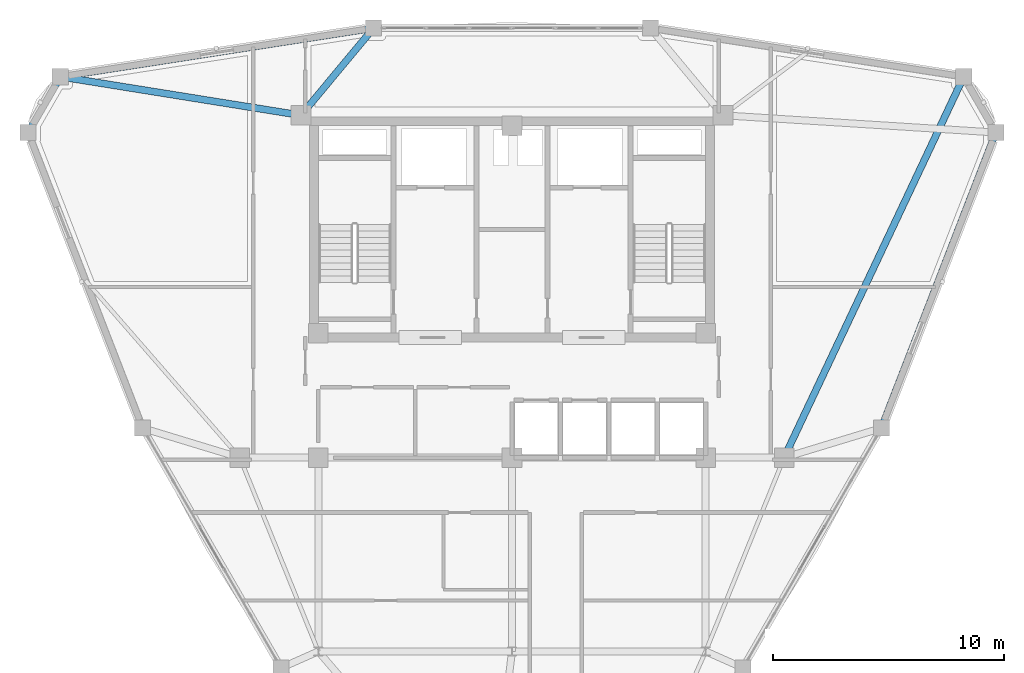
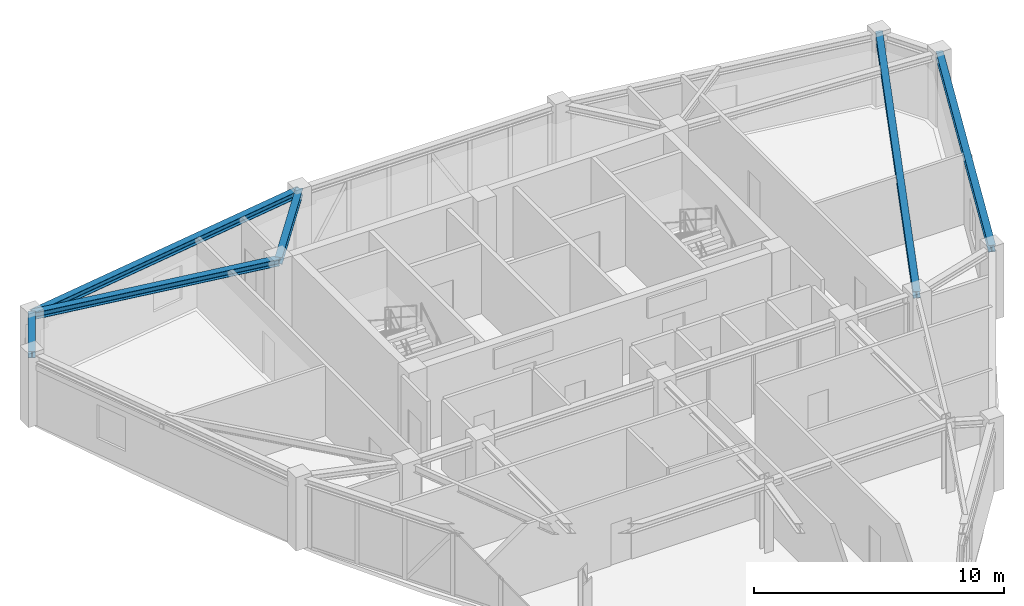
# One storey, part 8 of 15: 6 beams.
"""IFC4 building model written with IfcOpenShell, lengths in metres."""

import ifcopenshell
import ifcopenshell.guid

model = None  # the IFC model being written
_history = None  # IfcOwnerHistory: only IFC2X3 demands one
_inside = {}  # id of a spatial element -> (the spatial element, [elements in it])
_under = {}  # id of a project, library or spatial element -> (it, [spatial elements below it])
_declared = {}  # id of a project -> (the project, [libraries it declares])
_typed = {}  # id of a type object -> (the type object, [elements of that type])
_made_of = {}  # id of a material, layer set ... -> (it, [elements and type objects made of it])


def new_model(schema):
    """Start an empty IFC model of exactly this schema.

    Asked for "IFC4X3", IfcOpenShell would pick the latest addendum, in which some entities
    have other attributes; the version numbers below select the first issue.
    IFC2X3 requires an IfcOwnerHistory on every rooted entity: one is made here for all.
    """
    global model, _history
    if schema == "IFC4X3":
        model = ifcopenshell.file(schema_version=(4, 3, 0, 0))
    else:
        model = ifcopenshell.file(schema=schema)
    _inside.clear()
    _under.clear()
    _declared.clear()
    _typed.clear()
    _made_of.clear()
    _history = None
    if model.schema == "IFC2X3":
        org = make("IfcOrganization", Name="unknown")
        user = make(
            "IfcPersonAndOrganization",
            ThePerson=make("IfcPerson", FamilyName="unknown"),
            TheOrganization=org,
        )
        app = make(
            "IfcApplication",
            ApplicationDeveloper=org,
            Version="unknown",
            ApplicationFullName="unknown",
            ApplicationIdentifier="unknown",
        )
        _history = make(
            "IfcOwnerHistory",
            OwningUser=user,
            OwningApplication=app,
            ChangeAction="ADDED",
            CreationDate=0,
        )
    return model


def make(cls, **values):
    """One entity of the class cls with the attributes given. An attribute that is None is left unset."""
    return model.create_entity(
        cls, **{name: value for name, value in values.items() if value is not None}
    )


def rooted(cls, **values):
    """An entity with a GlobalId (a new one), such as an element, a storey or a relation."""
    return make(cls, GlobalId=ifcopenshell.guid.new(), OwnerHistory=_history, **values)


def si_unit(unit_type, name, prefix=None):
    """IfcSIUnit, for example si_unit("LENGTHUNIT", "METRE", prefix="MILLI")."""
    return make("IfcSIUnit", UnitType=unit_type, Prefix=prefix, Name=name)


def derived_unit(unit_type, elements):
    """IfcDerivedUnit: a product of units, each with its exponent."""
    return make(
        "IfcDerivedUnit",
        Elements=[
            make("IfcDerivedUnitElement", Unit=unit, Exponent=power)
            for unit, power in elements
        ],
        UnitType=unit_type,
    )


def assignment(units):
    """IfcUnitAssignment: the units of a project."""
    return None if units is None else make("IfcUnitAssignment", Units=units)


def point(xyz):
    """IfcCartesianPoint."""
    return None if xyz is None else make("IfcCartesianPoint", Coordinates=xyz)


def direction(xyz):
    """IfcDirection."""
    return None if xyz is None else make("IfcDirection", DirectionRatios=xyz)


def frame(location, z_axis=None, x_axis=None):
    """IfcAxis2Placement3D, a coordinate frame: its origin and axes. An axis left out is left unset."""
    return make(
        "IfcAxis2Placement3D",
        Location=point(location),
        Axis=direction(z_axis),
        RefDirection=direction(x_axis),
    )


def frame_2d(location, x_axis=None):
    """IfcAxis2Placement2D, a coordinate frame in the plane: its origin and x axis."""
    return make(
        "IfcAxis2Placement2D", Location=point(location), RefDirection=direction(x_axis)
    )


def origin():
    """The frame at (0, 0, 0) with its axes left unset."""
    return frame((0.0, 0.0, 0.0))


def origin_2d():
    """The frame at (0, 0) in the plane with its x axis left unset."""
    return frame_2d((0.0, 0.0))


def place(relative_to, where):
    """IfcLocalPlacement: puts the frame where relative to a parent placement (None: the world)."""
    return make(
        "IfcLocalPlacement", PlacementRelTo=relative_to, RelativePlacement=where
    )


def context(
    kind, dimensions, precision=None, world=None, true_north=None, identifier=None
):
    """IfcGeometricRepresentationContext, for example the 3D "Model" context."""
    return make(
        "IfcGeometricRepresentationContext",
        ContextIdentifier=identifier,
        ContextType=kind,
        CoordinateSpaceDimension=dimensions,
        Precision=precision,
        WorldCoordinateSystem=world,
        TrueNorth=true_north,
    )


def subcontext(parent, identifier, kind, view, scale=None):
    """IfcGeometricRepresentationSubContext, for example "Body" below "Model"."""
    return make(
        "IfcGeometricRepresentationSubContext",
        ContextIdentifier=identifier,
        ContextType=kind,
        ParentContext=parent,
        TargetScale=scale,
        TargetView=view,
    )


def project(units=None, contexts=None):
    """IfcProject with its units and contexts."""
    return rooted(
        "IfcProject",
        Name="project",
        RepresentationContexts=contexts,
        UnitsInContext=assignment(units),
    )


def spatial(cls, under=None, at=None, **own):
    """A site, building, storey or space (cls), placed at a placement, below another one or the project."""
    s = rooted(cls, ObjectPlacement=at, **own)
    if under is not None:
        _under.setdefault(under.id(), (under, []))[1].append(s)
    return s


def profile(cls, at=None, kind="AREA", **sizes):
    """A parametric profile (cls). Its sizes go by their IFC names, for example OverallWidth=200.0."""
    return make(cls, ProfileType=kind, Position=at, **sizes)


def i_section(**sizes):
    """IfcIShapeProfileDef."""
    return profile("IfcIShapeProfileDef", **sizes)


def extrude(swept, where, along, depth):
    """IfcExtrudedAreaSolid: the profile swept, set in the frame where, extruded along a direction by depth."""
    return make(
        "IfcExtrudedAreaSolid",
        SweptArea=swept,
        Position=where,
        ExtrudedDirection=direction(along),
        Depth=depth,
    )


def shape(context_of_items, identifier, shape_type, items):
    """IfcShapeRepresentation: the items that make up one representation, for example the "Body"."""
    return make(
        "IfcShapeRepresentation",
        ContextOfItems=context_of_items,
        RepresentationIdentifier=identifier,
        RepresentationType=shape_type,
        Items=items,
    )


def source(mapping_origin, context_of_items, identifier, shape_type, items):
    """IfcRepresentationMap: a shape defined once, which mapped items show again and again."""
    return make(
        "IfcRepresentationMap",
        MappingOrigin=mapping_origin,
        MappedRepresentation=shape(context_of_items, identifier, shape_type, items),
    )


def transform(
    local_origin,
    x_axis=None,
    y_axis=None,
    z_axis=None,
    scale=None,
    scale2=None,
    scale3=None,
    uniform=True,
):
    """IfcCartesianTransformationOperator3D, or its non-uniform kind. x_axis, y_axis, z_axis: its Axis1, 2, 3."""
    if uniform:
        return make(
            "IfcCartesianTransformationOperator3D",
            Axis1=direction(x_axis),
            Axis2=direction(y_axis),
            LocalOrigin=point(local_origin),
            Scale=scale,
            Axis3=direction(z_axis),
        )
    return make(
        "IfcCartesianTransformationOperator3DnonUniform",
        Axis1=direction(x_axis),
        Axis2=direction(y_axis),
        LocalOrigin=point(local_origin),
        Scale=scale,
        Axis3=direction(z_axis),
        Scale2=scale2,
        Scale3=scale3,
    )


def mapped(mapping_source, mapping_target):
    """IfcMappedItem: shows the shape of a source again, moved by a transform."""
    return make(
        "IfcMappedItem", MappingSource=mapping_source, MappingTarget=mapping_target
    )


def material(Name=None, Category=None):
    """IfcMaterial."""
    return make("IfcMaterial", Name=Name, Category=Category)


def material_profile(
    of_material, cross_section, Name=None, Category=None, Priority=None
):
    """IfcMaterialProfile: a cross section and its material."""
    return make(
        "IfcMaterialProfile",
        Name=Name,
        Material=of_material,
        Profile=cross_section,
        Priority=Priority,
        Category=Category,
    )


def profile_set(profiles, Name=None, composite=None):
    """IfcMaterialProfileSet."""
    return make(
        "IfcMaterialProfileSet",
        Name=Name,
        MaterialProfiles=profiles,
        CompositeProfile=composite,
    )


def made_of(thing, what):
    """Note that an element or type object is made of a material, layer set ...; save() writes the relation."""
    if what is not None:
        _made_of.setdefault(what.id(), (what, []))[1].append(thing)
    return thing


def type_object(cls, material=None, **own):
    """A type object (cls), such as IfcWallType, which elements share."""
    return made_of(rooted(cls, **own), material)


def element(
    cls,
    number,
    at=None,
    inside=None,
    cuts=None,
    type_object=None,
    material=None,
    context=None,
    identifier="Body",
    shape_type=None,
    held_by="IfcProductDefinitionShape",
    body=None,
    shapes=None,
    **own,
):
    """One element of the class cls, such as IfcWall. Its Tag is "e" and its number.

    at: its placement. inside: the storey or other place that contains it. cuts: it is an
    opening in that element (IfcRelVoidsElement). A single representation is given by context,
    identifier, shape_type and body (its items); several are given by shapes. held_by: the class
    of the entity that holds the representations. save() writes the other relations.
    """
    e = rooted(cls, Tag="e%d" % number, ObjectPlacement=at, **own)
    if body is not None:
        shapes = [shape(context, identifier, shape_type, body)]
    if shapes is not None:
        e.Representation = make(held_by, Representations=shapes)
    if inside is not None:
        _inside.setdefault(inside.id(), (inside, []))[1].append(e)
    if cuts is not None:
        rooted(
            "IfcRelVoidsElement", RelatingBuildingElement=cuts, RelatedOpeningElement=e
        )
    if type_object is not None:
        _typed.setdefault(type_object.id(), (type_object, []))[1].append(e)
    return made_of(e, material)


def aggregate(whole, parts):
    """IfcRelAggregates: a whole, such as a stair, and the parts it consists of."""
    return rooted("IfcRelAggregates", RelatingObject=whole, RelatedObjects=parts)


def save(model, path):
    """Write the relations noted so far, then the file.

    IfcRelAggregates (storeys below a building ...), IfcRelContainedInSpatialStructure (elements
    in a storey), IfcRelDefinesByType, IfcRelAssociatesMaterial and IfcRelDeclares: one each for
    every whole, place, type object, material and project.
    """
    for whole, parts in _under.values():
        aggregate(whole, parts)
    for where, things in _inside.values():
        rooted(
            "IfcRelContainedInSpatialStructure",
            RelatedElements=things,
            RelatingStructure=where,
        )
    for kind, things in _typed.values():
        rooted("IfcRelDefinesByType", RelatedObjects=things, RelatingType=kind)
    for what, things in _made_of.values():
        rooted("IfcRelAssociatesMaterial", RelatedObjects=things, RelatingMaterial=what)
    for by, libraries in _declared.values():
        rooted("IfcRelDeclares", RelatingContext=by, RelatedDefinitions=libraries)
    model.write(path)


model = new_model("IFC4")

# Units and contexts
model_context = context("Model", 3, precision=1e-05, world=origin(), true_north=direction((0.0, 1.0)))
body_context = subcontext(model_context, "Body", "Model", "MODEL_VIEW")
ifc_project = project(units=[si_unit("LENGTHUNIT", "METRE"), si_unit("AREAUNIT", "SQUARE_METRE"), si_unit("VOLUMEUNIT", "CUBIC_METRE"), si_unit("PLANEANGLEUNIT", "RADIAN"), si_unit("MASSUNIT", "GRAM", prefix="KILO"), derived_unit("THERMALTRANSMITTANCEUNIT", [(si_unit("POWERUNIT", "WATT"), 1), (si_unit("LENGTHUNIT", "METRE"), -2), (si_unit("THERMODYNAMICTEMPERATUREUNIT", "KELVIN"), -1)])], contexts=[model_context])

# Site, building, storey
site_placement = place(None, origin())
site = spatial("IfcSite", under=ifc_project, at=site_placement, CompositionType="ELEMENT")
building_placement = place(site_placement, origin())
building = spatial("IfcBuilding", under=site, at=building_placement, Name="Korsvarv Bourse and Concert Hall", CompositionType="ELEMENT")
storey_placement = place(building_placement, frame((0.0, 0.0, 246.60009765625)))
storey = spatial("IfcBuildingStorey", under=building, at=storey_placement, Name="L64", CompositionType="ELEMENT", Elevation=246.60009765625)

# Beams
ifc_material = material(Name="Steel S355", Category="steel")
ifc_material_profile = material_profile(ifc_material, i_section(OverallWidth=0.300048828125, OverallDepth=0.330078125, WebThickness=0.009521484375, FlangeThickness=0.0166015625, FilletRadius=0.02099609375, at=origin_2d()), Name="HEA 340")
ifc_profile_set = profile_set([ifc_material_profile], Name="Steel S355")
beam_type = type_object("IfcBeamType", Name="BM-HEA340", PredefinedType="BEAM", material=ifc_profile_set)
shared_shape_1 = source(origin(), body_context, "Body", "SweptSolid", [
    extrude(i_section(OverallWidth=0.300048828125, OverallDepth=0.330078125, WebThickness=0.009521484375, FlangeThickness=0.0166015625, FilletRadius=0.02099609375, at=origin_2d()), origin(), (0.0, 0.0, 1.0), 2.794921875),
])
beam_1_placement = place(storey_placement, frame((16.40966796875, 48.924072265625, 3.244873046875), z_axis=(-0.500009789943, -0.866019751484, 0.0), x_axis=(0.866019751484, -0.500009789943, 0.0)))
element("IfcBeam", 1, at=beam_1_placement, inside=storey, type_object=beam_type, Name="L64 beam B-12", PredefinedType="BEAM", context=body_context, shape_type="MappedRepresentation", body=[
    mapped(shared_shape_1, transform((0.0, 0.0, 0.0), scale=1.0)),
])
shared_shape_2 = source(origin(), body_context, "Body", "SweptSolid", [
    extrude(i_section(OverallWidth=0.300048828125, OverallDepth=0.330078125, WebThickness=0.009521484375, FlangeThickness=0.0166015625, FilletRadius=0.02099609375, at=origin_2d()), origin(), (0.0, 0.0, 1.0), 13.74853515625),
])
for number, where, z_axis, x_axis, name in (
    (2, (29.99560546875, 51.03271484375, 3.244873046875), (-0.988168614185, -0.153371411744, 0.0), (0.153371411744, -0.988168614185, 0.0), "L64 beam B-12"),
    (3, (52.02099609375, 33.68359375, 3.244873046875), (0.361259117053, 0.932465468715, 0.0), (-0.932465468715, 0.361259117053, 0.0), "L64 beam B-12"),
):
    element("IfcBeam", number, at=place(storey_placement, frame(where, z_axis=z_axis, x_axis=x_axis)), inside=storey, type_object=beam_type, Name=name, PredefinedType="BEAM", context=body_context, shape_type="MappedRepresentation", body=[
        mapped(shared_shape_2, transform((0.0, 0.0, 0.0), scale=1.0)),
    ])
shared_shape_3 = source(origin(), body_context, "Body", "SweptSolid", [
    extrude(i_section(OverallWidth=0.300048828125, OverallDepth=0.330078125, WebThickness=0.009521484375, FlangeThickness=0.0166015625, FilletRadius=0.02099609375, at=origin_2d()), origin(), (0.0, 0.0, 1.0), 18.2685546875),
])
beam_2_placement = place(storey_placement, frame((55.59033203125, 48.924072265625, 3.244873046875), z_axis=(-0.426433445871, -0.904518941893, 0.0), x_axis=(0.904518941893, -0.426433445871, 0.0)))
element("IfcBeam", 4, at=beam_2_placement, inside=storey, type_object=beam_type, Name="L64 beam B-12", PredefinedType="BEAM", context=body_context, shape_type="MappedRepresentation", body=[
    mapped(shared_shape_3, transform((0.0, 0.0, 0.0), scale=1.0)),
])
shared_shape_4 = source(origin(), body_context, "Body", "SweptSolid", [
    extrude(i_section(OverallWidth=0.300048828125, OverallDepth=0.330078125, WebThickness=0.009521484375, FlangeThickness=0.0166015625, FilletRadius=0.02099609375, at=origin_2d()), origin(), (0.0, 0.0, 1.0), 4.919677734375),
])
beam_3_placement = place(storey_placement, frame((29.99560546875, 51.03271484375, 3.244873046875), z_axis=(-0.6393737664, -0.768896083251, 0.0), x_axis=(0.768896083251, -0.6393737664, 0.0)))
element("IfcBeam", 5, at=beam_3_placement, inside=storey, type_object=beam_type, Name="L64 beam B-12", PredefinedType="BEAM", context=body_context, shape_type="MappedRepresentation", body=[
    mapped(shared_shape_4, transform((0.0, 0.0, 0.0), scale=1.0)),
])
shared_shape_5 = source(origin(), body_context, "Body", "SweptSolid", [
    extrude(i_section(OverallWidth=0.300048828125, OverallDepth=0.330078125, WebThickness=0.009521484375, FlangeThickness=0.0166015625, FilletRadius=0.02099609375, at=origin_2d()), origin(), (0.0, 0.0, 1.0), 10.57373046875),
])
beam_4_placement = place(storey_placement, frame((16.40966796875, 48.924072265625, 3.244873046875), z_axis=(0.987387409565, -0.158322782419, 0.0), x_axis=(0.158322782419, 0.987387409565, 0.0)))
element("IfcBeam", 6, at=beam_4_placement, inside=storey, type_object=beam_type, Name="L64 beam B-12", PredefinedType="BEAM", context=body_context, shape_type="MappedRepresentation", body=[
    mapped(shared_shape_5, transform((0.0, 0.0, 0.0), scale=1.0)),
])

save(model, "model.ifc")
